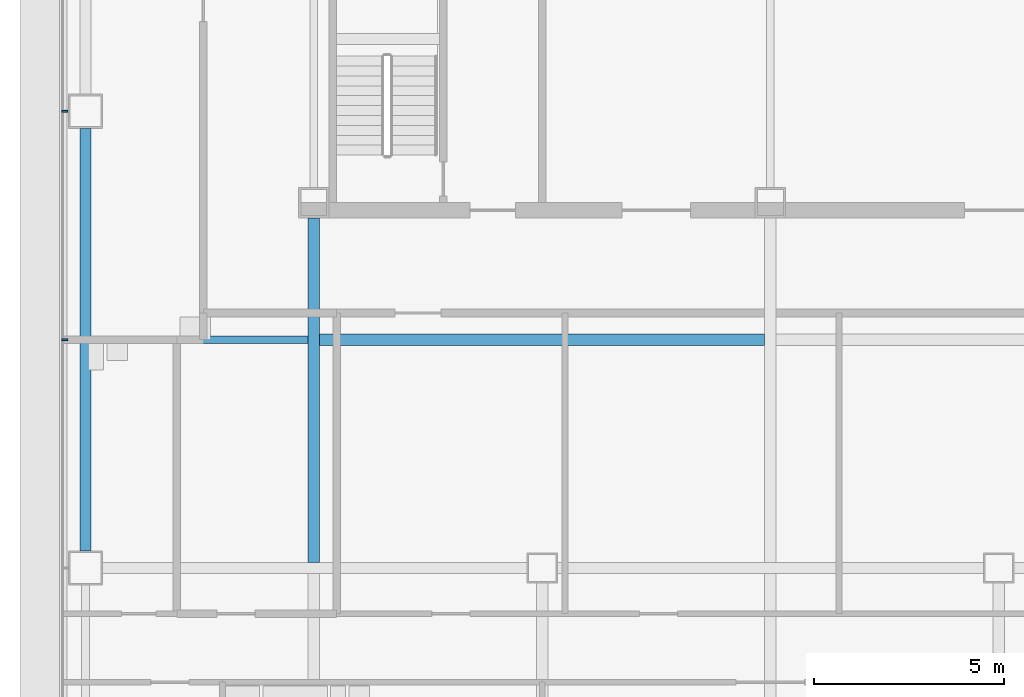
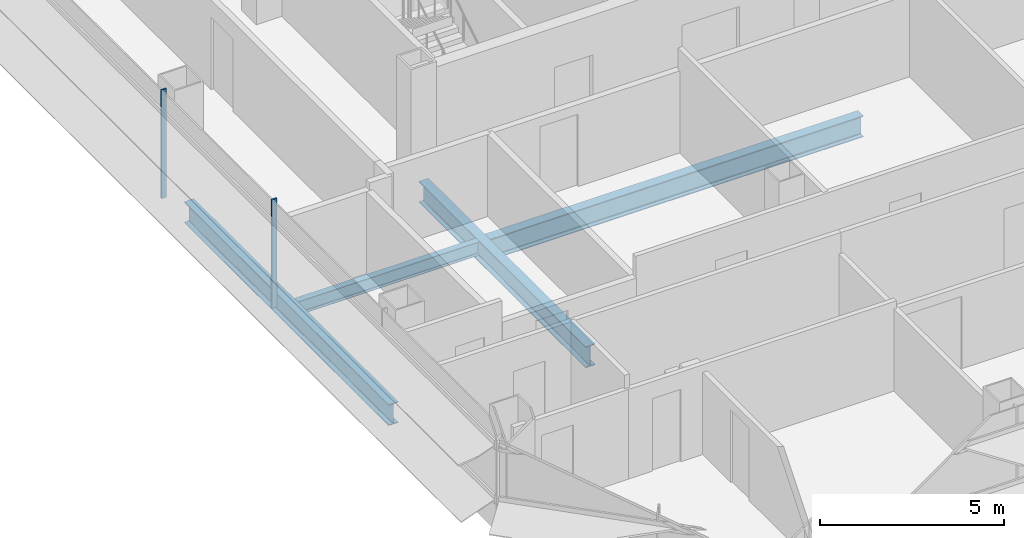
# One storey, part 4 of 27: 4 beams, 2 members, 1 element without a shape of its own.
"""IFC4 building model written with IfcOpenShell, lengths in metres."""

from ifc_helpers import new_model, si_unit, direction, frame, origin, origin_2d, place, context, subcontext, project, spatial, rectangle, i_section, extrude, material, material_profile, profile_set, type_object, element, aggregate, save


model = new_model("IFC4")

# Units and contexts
model_context = context("Model", 3, precision=1e-05, world=origin(), true_north=direction((0.0, 1.0)))
body_context = subcontext(model_context, "Body", "Model", "MODEL_VIEW")
ifc_project = project(units=[si_unit("LENGTHUNIT", "METRE"), si_unit("AREAUNIT", "SQUARE_METRE"), si_unit("VOLUMEUNIT", "CUBIC_METRE"), si_unit("PLANEANGLEUNIT", "RADIAN"), si_unit("MASSUNIT", "GRAM", prefix="KILO")], contexts=[model_context])

# Site, building, storey
site_placement = place(None, origin())
site = spatial("IfcSite", under=ifc_project, at=site_placement, CompositionType="ELEMENT")
building_placement = place(site_placement, origin())
building = spatial("IfcBuilding", under=site, at=building_placement, Name="Sorahane Residences", CompositionType="ELEMENT")
storey_placement = place(building_placement, frame((0.0, 0.0, 78.60009765625)))
storey = spatial("IfcBuildingStorey", under=building, at=storey_placement, Name="L16", CompositionType="ELEMENT", Elevation=78.60009765625)

# Curtain wall, members
ifc_material_1 = material(Name="Dark low-e glass and black anodised aluminium", Category="aluminium")
curtain_wall_type = type_object("IfcCurtainWallType", Name="Curtain wall CW-1 Typical unitised wall", PredefinedType="NOTDEFINED", material=ifc_material_1)
curtain_wall_placement = place(storey_placement, origin())
curtain_wall = element("IfcCurtainWall", 1, at=curtain_wall_placement, inside=storey, type_object=curtain_wall_type, Name="CW-1 curtain wall L16 W1", PredefinedType="NOTDEFINED")
ifc_material_2 = material(Name="Black anodised aluminium", Category="aluminium")
ifc_material_profile_1 = material_profile(ifc_material_2, rectangle(XDim=0.159912109375, YDim=0.050048828125, at=origin_2d()), Name="Curtain wall mullion CW-1 black anodised aluminium 50x160")
ifc_profile_set_1 = profile_set([ifc_material_profile_1], Name="Black anodised aluminium")
member_type = type_object("IfcMemberType", Name="Curtain wall mullion CW-1 black anodised aluminium 50x160", PredefinedType="MULLION", material=ifc_profile_set_1)
member_1_placement = place(storey_placement, frame((-0.5400390625, 24.0, -0.18017578125), z_axis=(0.0, 0.0, 1.0), x_axis=(-1.0, 0.0, 0.0)))
member_1 = element("IfcMember", 2, at=member_1_placement, type_object=member_type, Name="CW-1 mullion L16 W1.4", PredefinedType="MULLION", context=body_context, shape_type="SweptSolid", body=[
    extrude(rectangle(XDim=0.159912109375, YDim=0.050048828125, at=origin_2d()), origin(), (0.0, 0.0, 1.0), 3.60009765625),
])
member_2_placement = place(storey_placement, frame((-0.5400390625, 18.0, -0.18017578125), z_axis=(0.0, 0.0, 1.0), x_axis=(-1.0, 0.0, 0.0)))
member_2 = element("IfcMember", 3, at=member_2_placement, type_object=member_type, Name="CW-1 mullion L16 W1.5", PredefinedType="MULLION", context=body_context, shape_type="SweptSolid", body=[
    extrude(rectangle(XDim=0.159912109375, YDim=0.050048828125, at=origin_2d()), origin(), (0.0, 0.0, 1.0), 3.60009765625),
])
aggregate(curtain_wall, [member_1, member_2])

# Beams
ifc_material_3 = material(Name="Steel Q355B", Category="steel")
ifc_material_profile_2 = material_profile(ifc_material_3, i_section(OverallWidth=0.199951171875, OverallDepth=0.449951171875, WebThickness=0.009033203125, FlangeThickness=0.013916015625, FilletRadius=0.02001953125, at=origin_2d()), Name="HN 450x200x9x14")
ifc_profile_set_2 = profile_set([ifc_material_profile_2], Name="Steel Q355B")
beam_type_1 = type_object("IfcBeamType", Name="Steel floor beam HN 450x200x9x14 Q355B", PredefinedType="BEAM", material=ifc_profile_set_2)
beam_1_placement = place(storey_placement, frame((0.14990234375, 18.0, -0.405029296875), z_axis=(1.0, 0.0, 0.0), x_axis=(0.0, 1.0, 0.0)))
element("IfcBeam", 4, at=beam_1_placement, inside=storey, type_object=beam_type_1, Name="Beam L16 070", PredefinedType="BEAM", context=body_context, shape_type="SweptSolid", body=[
    extrude(i_section(OverallWidth=0.199951171875, OverallDepth=0.449951171875, WebThickness=0.009033203125, FlangeThickness=0.013916015625, FilletRadius=0.02001953125, at=origin_2d()), origin(), (0.0, 0.0, 1.0), 5.7001953125),
])
ifc_material_4 = material(Name="Steel Q355B", Category="steel")
ifc_material_profile_3 = material_profile(ifc_material_4, i_section(OverallWidth=0.300048828125, OverallDepth=0.699951171875, WebThickness=0.012939453125, FlangeThickness=0.02392578125, FilletRadius=0.028076171875, at=origin_2d()), Name="HN 700x300x13x24")
ifc_profile_set_3 = profile_set([ifc_material_profile_3], Name="Steel Q355B")
beam_type_2 = type_object("IfcBeamType", Name="Steel floor beam HN 700x300x13x24 Q355B", PredefinedType="BEAM", material=ifc_profile_set_3)
beam_2_placement = place(storey_placement, frame((0.0, 12.449951171875, -0.530029296875), z_axis=(0.0, 1.0, 0.0), x_axis=(-1.0, 0.0, 0.0)))
element("IfcBeam", 5, at=beam_2_placement, inside=storey, type_object=beam_type_2, Name="Beam L16 018", PredefinedType="BEAM", context=body_context, shape_type="SweptSolid", body=[
    extrude(i_section(OverallWidth=0.300048828125, OverallDepth=0.699951171875, WebThickness=0.012939453125, FlangeThickness=0.02392578125, FilletRadius=0.028076171875, at=origin_2d()), origin(), (0.0, 0.0, 1.0), 11.10009765625),
])
beam_3_placement = place(storey_placement, frame((6.0, 12.14990234375, -0.530029296875), z_axis=(0.0, 1.0, 0.0), x_axis=(-1.0, 0.0, 0.0)))
element("IfcBeam", 6, at=beam_3_placement, inside=storey, type_object=beam_type_2, Name="Beam L16 022", PredefinedType="BEAM", context=body_context, shape_type="SweptSolid", body=[
    extrude(i_section(OverallWidth=0.300048828125, OverallDepth=0.699951171875, WebThickness=0.012939453125, FlangeThickness=0.02392578125, FilletRadius=0.028076171875, at=origin_2d()), origin(), (0.0, 0.0, 1.0), 9.050048828125),
])
beam_4_placement = place(storey_placement, frame((6.14990234375, 18.0, -0.530029296875), z_axis=(1.0, 0.0, 0.0), x_axis=(0.0, 1.0, 0.0)))
element("IfcBeam", 7, at=beam_4_placement, inside=storey, type_object=beam_type_2, Name="Beam L16 071", PredefinedType="BEAM", context=body_context, shape_type="SweptSolid", body=[
    extrude(i_section(OverallWidth=0.300048828125, OverallDepth=0.699951171875, WebThickness=0.012939453125, FlangeThickness=0.02392578125, FilletRadius=0.028076171875, at=origin_2d()), origin(), (0.0, 0.0, 1.0), 11.7001953125),
])

save(model, "model.ifc")
